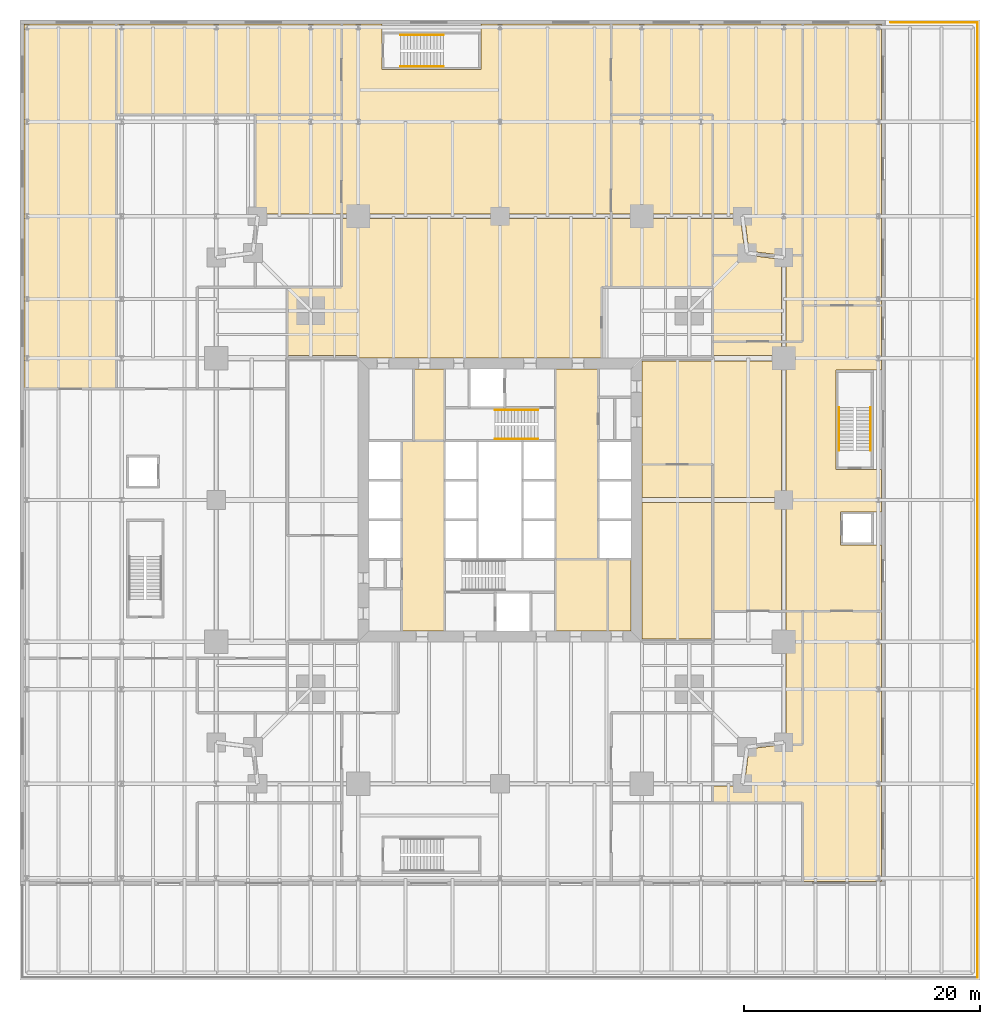
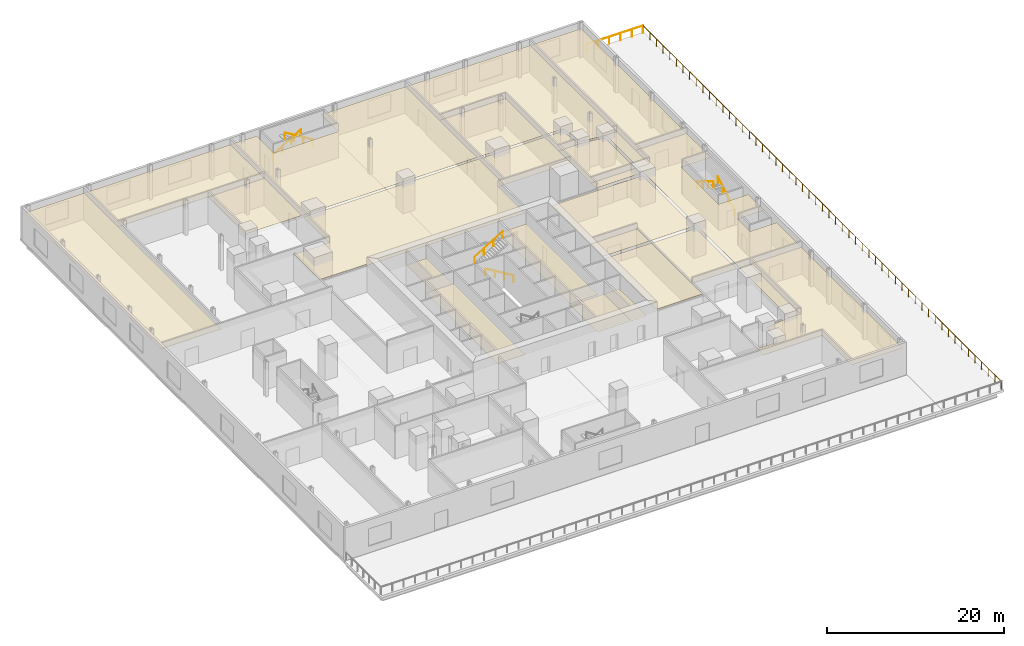
# One storey, part 18 of 18: 25 coverings, 8 railings.
"""IFC4 building model written with IfcOpenShell, lengths in metres."""

from ifc_helpers import new_model, si_unit, direction, frame, origin, origin_2d, place, context, subcontext, project, spatial, polyline, circle, outline, extrude, material, layer, layer_set, type_object, element, save


model = new_model("IFC4")

# Units and contexts
model_context = context("Model", 3, precision=1e-05, world=origin(), true_north=direction((0.0, 1.0)))
body_context = subcontext(model_context, "Body", "Model", "MODEL_VIEW")
ifc_project = project(units=[si_unit("LENGTHUNIT", "METRE"), si_unit("AREAUNIT", "SQUARE_METRE"), si_unit("VOLUMEUNIT", "CUBIC_METRE"), si_unit("PLANEANGLEUNIT", "RADIAN"), si_unit("MASSUNIT", "GRAM", prefix="KILO")], contexts=[model_context])

# Site, building, storey
site_placement = place(None, origin())
site = spatial("IfcSite", under=ifc_project, at=site_placement, CompositionType="ELEMENT")
building_placement = place(site_placement, origin())
building = spatial("IfcBuilding", under=site, at=building_placement, Name="Fenwick Lantern Interchange", CompositionType="ELEMENT")
storey_placement = place(building_placement, frame((0.0, 0.0, 11.800048828125)))
storey = spatial("IfcBuildingStorey", under=building, at=storey_placement, Name="L02", CompositionType="ELEMENT", Elevation=11.800048828125)

# Coverings
ifc_material_1 = material(Name="Mineral fibre acoustic tile on suspended grid")
ifc_layer_1 = layer(ifc_material_1, 0.02001953125)
ifc_layer_set_1 = layer_set([ifc_layer_1], Name="ACOUSTIC TILE CEILING 20")
covering_type_1 = type_object("IfcCoveringType", Name="ACOUSTIC TILE CEILING 20", PredefinedType="CEILING", material=ifc_layer_set_1)
covering_1_placement = place(storey_placement, frame((0.0, 0.0, 3.599853515625)))
element("IfcCovering", 1, at=covering_1_placement, inside=storey, type_object=covering_type_1, Name="Retail arcade north ceiling", PredefinedType="CEILING", context=body_context, shape_type="SweptSolid", body=[
    extrude(outline(polyline([(34.39990234375, 57.60009765625), (34.39990234375, 65.25), (23.39990234375, 65.25), (23.39990234375, 64.60009765625), (23.39990234375, 61.39990234375), (15.0, 61.39990234375), (15.0, 64.60009765625), (15.0, 65.25), (11.60009765625, 65.25), (11.60009765625, 57.60009765625), (11.60009765625, 49.175048828125), (13.0, 49.175048828125), (25.0, 49.175048828125), (34.39990234375, 49.175048828125), (34.39990234375, 57.60009765625)])), origin(), (0.0, 0.0, 1.0), 0.02001953125),
])
covering_2_placement = place(storey_placement, frame((0.0, 0.0, 3.599853515625)))
element("IfcCovering", 2, at=covering_2_placement, inside=storey, type_object=covering_type_1, Name="Retail arcade north ceiling", PredefinedType="CEILING", context=body_context, shape_type="SweptSolid", body=[
    extrude(outline(polyline([(34.39990234375, 43.0), (34.39990234375, 48.824951171875), (25.0, 48.824951171875), (13.0, 48.824951171875), (11.60009765625, 48.824951171875), (11.60009765625, 43.0), (7.0, 43.0), (7.0, 37.232177734375), (13.0, 37.232177734375), (13.0, 37.0), (33.60009765625, 37.0), (33.60009765625, 43.0), (34.39990234375, 43.0)])), origin(), (0.0, 0.0, 1.0), 0.02001953125),
])
covering_3_placement = place(storey_placement, frame((0.0, 0.0, 3.599853515625)))
element("IfcCovering", 3, at=covering_3_placement, inside=storey, type_object=covering_type_1, Name="Retail arcade east ceiling", PredefinedType="CEILING", context=body_context, shape_type="SweptSolid", body=[
    extrude(outline(polyline([(50.60009765625, 15.60009765625), (57.25, 15.60009765625), (57.25, 21.199951171875), (56.60009765625, 21.199951171875), (53.800048828125, 21.199951171875), (53.800048828125, 24.0), (56.60009765625, 24.0), (57.25, 24.0), (57.25, 27.60009765625), (56.60009765625, 27.60009765625), (53.39990234375, 27.60009765625), (53.39990234375, 36.0), (56.60009765625, 36.0), (57.25, 36.0), (57.25, 41.449951171875), (50.60009765625, 41.449951171875), (50.60009765625, 38.39990234375), (49.175048828125, 38.39990234375), (49.175048828125, 37.0), (49.175048828125, 25.0), (49.175048828125, 15.60009765625), (50.60009765625, 15.60009765625)])), origin(), (0.0, 0.0, 1.0), 0.02001953125),
])
covering_4_placement = place(storey_placement, frame((0.0, 0.0, 3.599853515625)))
element("IfcCovering", 4, at=covering_4_placement, inside=storey, type_object=covering_type_1, Name="Retail arcade east ceiling", PredefinedType="CEILING", context=body_context, shape_type="SweptSolid", body=[
    extrude(outline(polyline([(43.0, 28.0), (43.0, 25.224365234375), (48.824951171875, 25.224365234375), (48.824951171875, 36.767822265625), (37.0, 36.767822265625), (37.0, 28.0), (43.0, 28.0)])), origin(), (0.0, 0.0, 1.0), 0.02001953125),
])
covering_5_placement = place(storey_placement, frame((0.0, 0.0, 3.599853515625)))
element("IfcCovering", 5, at=covering_5_placement, inside=storey, type_object=covering_type_1, Name="Retail arcade east ceiling", PredefinedType="CEILING", context=body_context, shape_type="SweptSolid", body=[
    extrude(outline(polyline([(43.0, 15.60009765625), (48.824951171875, 15.60009765625), (48.824951171875, 24.775634765625), (43.0, 24.775634765625), (43.0, 15.60009765625)])), origin(), (0.0, 0.0, 1.0), 0.02001953125),
])
covering_6_placement = place(storey_placement, frame((0.0, 0.0, 3.599853515625)))
element("IfcCovering", 6, at=covering_6_placement, inside=storey, type_object=covering_type_1, Name="Retail arcade east ceiling", PredefinedType="CEILING", context=body_context, shape_type="SweptSolid", body=[
    extrude(outline(polyline([(43.0, 38.39990234375), (43.0, 37.232177734375), (48.824951171875, 37.232177734375), (48.824951171875, 38.39990234375), (43.0, 38.39990234375)])), origin(), (0.0, 0.0, 1.0), 0.02001953125),
])
covering_7_placement = place(storey_placement, frame((0.0, 0.0, 3.599853515625)))
element("IfcCovering", 7, at=covering_7_placement, inside=storey, type_object=covering_type_1, Name="Retail unit 02-8 ceiling", PredefinedType="CEILING", context=body_context, shape_type="SweptSolid", body=[
    extrude(outline(polyline([(43.0, -0.60009765625), (50.60009765625, -0.60009765625), (50.60009765625, -7.25), (57.25, -7.25), (57.25, 15.60009765625), (50.60009765625, 15.60009765625), (50.60009765625, 4.300048828125), (48.817138671875, 4.300048828125), (46.05615234375, 3.94384765625), (45.673583984375, 0.9775390625), (45.5, 1.0), (45.5, 0.824951171875), (43.0, 0.824951171875), (43.0, -0.60009765625)])), origin(), (0.0, 0.0, 1.0), 0.02001953125),
])
covering_8_placement = place(storey_placement, frame((0.0, 0.0, 3.599853515625)))
element("IfcCovering", 8, at=covering_8_placement, inside=storey, type_object=covering_type_1, Name="Retail unit 02-9 ceiling", PredefinedType="CEILING", context=body_context, shape_type="SweptSolid", body=[
    extrude(outline(polyline([(50.60009765625, 15.60009765625), (49.175048828125, 15.60009765625), (49.175048828125, 13.0), (49.175048828125, 4.5), (49.0, 4.5), (49.0224609375, 4.326416015625), (48.817138671875, 4.300048828125), (50.60009765625, 4.300048828125), (50.60009765625, 15.60009765625)])), origin(), (0.0, 0.0, 1.0), 0.02001953125),
])
covering_9_placement = place(storey_placement, frame((0.0, 0.0, 3.599853515625)))
element("IfcCovering", 9, at=covering_9_placement, inside=storey, type_object=covering_type_1, Name="Retail unit 02-10 ceiling", PredefinedType="CEILING", context=body_context, shape_type="SweptSolid", body=[
    extrude(outline(polyline([(43.0, 45.699951171875), (43.0, 38.39990234375), (48.824951171875, 38.39990234375), (48.824951171875, 45.34619140625), (46.0830078125, 45.699951171875), (43.0, 45.699951171875)])), origin(), (0.0, 0.0, 1.0), 0.02001953125),
])
covering_10_placement = place(storey_placement, frame((0.0, 0.0, 3.599853515625)))
element("IfcCovering", 10, at=covering_10_placement, inside=storey, type_object=covering_type_1, Name="Retail unit 02-10 ceiling", PredefinedType="CEILING", context=body_context, shape_type="SweptSolid", body=[
    extrude(outline(polyline([(50.60009765625, 45.699951171875), (48.817138671875, 45.699951171875), (49.0224609375, 45.673583984375), (49.0, 45.5), (49.175048828125, 45.5), (49.175048828125, 38.39990234375), (50.60009765625, 38.39990234375), (50.60009765625, 45.699951171875)])), origin(), (0.0, 0.0, 1.0), 0.02001953125),
])
covering_11_placement = place(storey_placement, frame((0.0, 0.0, 3.599853515625)))
element("IfcCovering", 11, at=covering_11_placement, inside=storey, type_object=covering_type_1, Name="Retail unit 02-11 ceiling", PredefinedType="CEILING", context=body_context, shape_type="SweptSolid", body=[
    extrude(outline(polyline([(57.25, 65.25), (50.60009765625, 65.25), (50.60009765625, 41.449951171875), (57.25, 41.449951171875), (57.25, 65.25)])), origin(), (0.0, 0.0, 1.0), 0.02001953125),
])
covering_12_placement = place(storey_placement, frame((0.0, 0.0, 3.599853515625)))
element("IfcCovering", 12, at=covering_12_placement, inside=storey, type_object=covering_type_1, Name="Retail unit 02-12 ceiling", PredefinedType="CEILING", context=body_context, shape_type="SweptSolid", body=[
    extrude(outline(polyline([(34.39990234375, 57.60009765625), (34.39990234375, 49.175048828125), (37.0, 49.175048828125), (43.0, 49.175048828125), (43.0, 57.60009765625), (34.39990234375, 57.60009765625)])), origin(), (0.0, 0.0, 1.0), 0.02001953125),
])
covering_13_placement = place(storey_placement, frame((0.0, 0.0, 3.599853515625)))
element("IfcCovering", 13, at=covering_13_placement, inside=storey, type_object=covering_type_1, Name="Retail unit 02-12 ceiling", PredefinedType="CEILING", context=body_context, shape_type="SweptSolid", body=[
    extrude(outline(polyline([(34.39990234375, 48.824951171875), (34.39990234375, 43.0), (43.0, 43.0), (43.0, 48.824951171875), (37.0, 48.824951171875), (34.39990234375, 48.824951171875)])), origin(), (0.0, 0.0, 1.0), 0.02001953125),
])
covering_14_placement = place(storey_placement, frame((0.0, 0.0, 3.599853515625)))
element("IfcCovering", 14, at=covering_14_placement, inside=storey, type_object=covering_type_1, Name="Retail unit 02-13 ceiling", PredefinedType="CEILING", context=body_context, shape_type="SweptSolid", body=[
    extrude(outline(polyline([(43.0, 57.60009765625), (43.0, 49.175048828125), (45.5, 49.175048828125), (45.5, 49.0), (45.673583984375, 49.0224609375), (46.05615234375, 46.05615234375), (48.817138671875, 45.699951171875), (50.60009765625, 45.699951171875), (50.60009765625, 65.25), (34.39990234375, 65.25), (34.39990234375, 57.60009765625), (43.0, 57.60009765625)])), origin(), (0.0, 0.0, 1.0), 0.02001953125),
])
covering_15_placement = place(storey_placement, frame((0.0, 0.0, 3.599853515625)))
element("IfcCovering", 15, at=covering_15_placement, inside=storey, type_object=covering_type_1, Name="Retail unit 02-13 ceiling", PredefinedType="CEILING", context=body_context, shape_type="SweptSolid", body=[
    extrude(outline(polyline([(43.0, 48.824951171875), (43.0, 45.699951171875), (46.0830078125, 45.699951171875), (45.877685546875, 45.7265625), (45.89990234375, 45.89990234375), (45.7265625, 45.877685546875), (45.34619140625, 48.824951171875), (43.0, 48.824951171875)])), origin(), (0.0, 0.0, 1.0), 0.02001953125),
])
covering_16_placement = place(storey_placement, frame((0.0, 0.0, 3.599853515625)))
element("IfcCovering", 16, at=covering_16_placement, inside=storey, type_object=covering_type_1, Name="Retail unit 02-16 ceiling", PredefinedType="CEILING", context=body_context, shape_type="SweptSolid", body=[
    extrude(outline(polyline([(-7.449951171875, 34.39990234375), (-7.449951171875, 65.25), (-15.25, 65.25), (-15.25, 34.39990234375), (-7.449951171875, 34.39990234375)])), origin(), (0.0, 0.0, 1.0), 0.02001953125),
])
covering_17_placement = place(storey_placement, frame((0.0, 0.0, 3.599853515625)))
element("IfcCovering", 17, at=covering_17_placement, inside=storey, type_object=covering_type_1, Name="Retail unit 02-17 ceiling", PredefinedType="CEILING", context=body_context, shape_type="SweptSolid", body=[
    extrude(outline(polyline([(4.300048828125, 57.60009765625), (4.300048828125, 48.817138671875), (4.326416015625, 49.0224609375), (4.5, 49.0), (4.5, 49.175048828125), (11.60009765625, 49.175048828125), (11.60009765625, 57.60009765625), (4.300048828125, 57.60009765625)])), origin(), (0.0, 0.0, 1.0), 0.02001953125),
])
covering_18_placement = place(storey_placement, frame((0.0, 0.0, 3.599853515625)))
element("IfcCovering", 18, at=covering_18_placement, inside=storey, type_object=covering_type_1, Name="Retail unit 02-18 ceiling", PredefinedType="CEILING", context=body_context, shape_type="SweptSolid", body=[
    extrude(outline(polyline([(11.60009765625, 57.60009765625), (11.60009765625, 65.25), (-7.449951171875, 65.25), (-7.449951171875, 57.60009765625), (11.60009765625, 57.60009765625)])), origin(), (0.0, 0.0, 1.0), 0.02001953125),
])
covering_19_placement = place(storey_placement, frame((0.0, 0.0, 3.599853515625)))
element("IfcCovering", 19, at=covering_19_placement, inside=storey, type_object=covering_type_1, Name="Retail unit 02-20 ceiling", PredefinedType="CEILING", context=body_context, shape_type="SweptSolid", body=[
    extrude(outline(polyline([(37.0, 24.775634765625), (37.0, 13.232177734375), (43.0, 13.232177734375), (43.0, 24.775634765625), (37.0, 24.775634765625)])), origin(), (0.0, 0.0, 1.0), 0.02001953125),
])
covering_20_placement = place(storey_placement, frame((0.0, 0.0, 3.599853515625)))
element("IfcCovering", 20, at=covering_20_placement, inside=storey, type_object=covering_type_1, Name="Retail unit 02-20 ceiling", PredefinedType="CEILING", context=body_context, shape_type="SweptSolid", body=[
    extrude(outline(polyline([(37.0, 28.0), (37.0, 25.224365234375), (43.0, 25.224365234375), (43.0, 28.0), (37.0, 28.0)])), origin(), (0.0, 0.0, 1.0), 0.02001953125),
])

# Railings
ifc_material_2 = material(Name="Stainless steel handrail", Category="steel")
railing_type_1 = type_object("IfcRailingType", Name="HANDRAIL 900", PredefinedType="HANDRAIL", material=ifc_material_2)
railing_1_placement = place(storey_placement, frame((28.199951171875, 30.174072265625, 0.17138671875)))
element("IfcRailing", 21, at=railing_1_placement, inside=storey, type_object=railing_type_1, Name="L02/STAIR/ST2/HR1", PredefinedType="HANDRAIL", context=body_context, shape_type="SweptSolid", body=[
    extrude(circle(Radius=0.02392578125, at=origin_2d()), frame((0.0, 0.0, 0.8759765625), z_axis=(-0.852850264322, 0.0, 0.5221555579), x_axis=(0.0, -1.0, 0.0)), (0.0, 0.0, 1.0), 4.267822265625),
    extrude(circle(Radius=0.02099609375, at=origin_2d()), origin(), (0.0, 0.0, 1.0), 0.851806640625),
    extrude(circle(Radius=0.02099609375, at=origin_2d()), frame((-1.21337890625, 0.0, 0.742919921875)), (0.0, 0.0, 1.0), 0.851806640625),
    extrude(circle(Radius=0.02099609375, at=origin_2d()), frame((-2.426513671875, 0.0, 1.485595703125)), (0.0, 0.0, 1.0), 0.851806640625),
    extrude(circle(Radius=0.02099609375, at=origin_2d()), frame((-3.639892578125, 0.0, 2.228515625)), (0.0, 0.0, 1.0), 0.851806640625),
])
railing_2_placement = place(storey_placement, frame((24.56005859375, 32.6259765625, 2.5712890625)))
element("IfcRailing", 22, at=railing_2_placement, inside=storey, type_object=railing_type_1, Name="L02/STAIR/ST2/HR2", PredefinedType="HANDRAIL", context=body_context, shape_type="SweptSolid", body=[
    extrude(circle(Radius=0.02392578125, at=origin_2d()), frame((0.0, 0.0, 0.8759765625), z_axis=(0.852824790078, 0.0, 0.522197163366), x_axis=(0.0, 1.0, 0.0)), (0.0, 0.0, 1.0), 4.26806640625),
    extrude(circle(Radius=0.02099609375, at=origin_2d()), origin(), (0.0, 0.0, 1.0), 0.851806640625),
    extrude(circle(Radius=0.02099609375, at=origin_2d()), frame((1.21337890625, 0.0, 0.742919921875)), (0.0, 0.0, 1.0), 0.851806640625),
    extrude(circle(Radius=0.02099609375, at=origin_2d()), frame((2.426513671875, 0.0, 1.48583984375)), (0.0, 0.0, 1.0), 0.851806640625),
    extrude(circle(Radius=0.02099609375, at=origin_2d()), frame((3.639892578125, 0.0, 2.228759765625)), (0.0, 0.0, 1.0), 0.851806640625),
])
railing_3_placement = place(storey_placement, frame((16.60009765625, 64.325927734375, 0.17138671875)))
element("IfcRailing", 23, at=railing_3_placement, inside=storey, type_object=railing_type_1, Name="L02/STAIR/PS1/HR1", PredefinedType="HANDRAIL", context=body_context, shape_type="SweptSolid", body=[
    extrude(circle(Radius=0.02392578125, at=origin_2d()), frame((0.0, 0.0, 0.8759765625), z_axis=(0.852850264322, 0.0, 0.5221555579), x_axis=(0.0, 1.0, 0.0)), (0.0, 0.0, 1.0), 4.267822265625),
    extrude(circle(Radius=0.02099609375, at=origin_2d()), origin(), (0.0, 0.0, 1.0), 0.851806640625),
    extrude(circle(Radius=0.02099609375, at=origin_2d()), frame((1.21337890625, 0.0, 0.742919921875)), (0.0, 0.0, 1.0), 0.851806640625),
    extrude(circle(Radius=0.02099609375, at=origin_2d()), frame((2.426513671875, 0.0, 1.485595703125)), (0.0, 0.0, 1.0), 0.851806640625),
    extrude(circle(Radius=0.02099609375, at=origin_2d()), frame((3.639892578125, 0.0, 2.228515625)), (0.0, 0.0, 1.0), 0.851806640625),
])
railing_4_placement = place(storey_placement, frame((20.239990234375, 61.674072265625, 2.5712890625)))
element("IfcRailing", 24, at=railing_4_placement, inside=storey, type_object=railing_type_1, Name="L02/STAIR/PS1/HR2", PredefinedType="HANDRAIL", context=body_context, shape_type="SweptSolid", body=[
    extrude(circle(Radius=0.02392578125, at=origin_2d()), frame((0.0, 0.0, 0.8759765625), z_axis=(-0.852824790078, 0.0, 0.522197163366), x_axis=(0.0, -1.0, 0.0)), (0.0, 0.0, 1.0), 4.26806640625),
    extrude(circle(Radius=0.02099609375, at=origin_2d()), origin(), (0.0, 0.0, 1.0), 0.851806640625),
    extrude(circle(Radius=0.02099609375, at=origin_2d()), frame((-1.21337890625, 0.0, 0.742919921875)), (0.0, 0.0, 1.0), 0.851806640625),
    extrude(circle(Radius=0.02099609375, at=origin_2d()), frame((-2.426513671875, 0.0, 1.48583984375)), (0.0, 0.0, 1.0), 0.851806640625),
    extrude(circle(Radius=0.02099609375, at=origin_2d()), frame((-3.639892578125, 0.0, 2.228759765625)), (0.0, 0.0, 1.0), 0.851806640625),
])
railing_5_placement = place(storey_placement, frame((56.325927734375, 29.199951171875, 0.17138671875)))
element("IfcRailing", 25, at=railing_5_placement, inside=storey, type_object=railing_type_1, Name="L02/STAIR/PS4/HR1", PredefinedType="HANDRAIL", context=body_context, shape_type="SweptSolid", body=[
    extrude(circle(Radius=0.02392578125, at=origin_2d()), frame((0.0, 0.0, 0.8759765625), z_axis=(0.0, 0.852865859571, 0.52213008492), x_axis=(-1.0, 0.0, 0.0)), (0.0, 0.0, 1.0), 4.26806640625),
    extrude(circle(Radius=0.02099609375, at=origin_2d()), origin(), (0.0, 0.0, 1.0), 0.851806640625),
    extrude(circle(Radius=0.02099609375, at=origin_2d()), frame((0.0, 1.21337890625, 0.742919921875)), (0.0, 0.0, 1.0), 0.851806640625),
    extrude(circle(Radius=0.02099609375, at=origin_2d()), frame((0.0, 2.4267578125, 1.485595703125)), (0.0, 0.0, 1.0), 0.851806640625),
    extrude(circle(Radius=0.02099609375, at=origin_2d()), frame((0.0, 3.64013671875, 2.228515625)), (0.0, 0.0, 1.0), 0.851806640625),
])
railing_6_placement = place(storey_placement, frame((53.674072265625, 32.840087890625, 2.5712890625)))
element("IfcRailing", 26, at=railing_6_placement, inside=storey, type_object=railing_type_1, Name="L02/STAIR/PS4/HR2", PredefinedType="HANDRAIL", context=body_context, shape_type="SweptSolid", body=[
    extrude(circle(Radius=0.02392578125, at=origin_2d()), frame((0.0, 0.0, 0.8759765625), z_axis=(0.0, -0.852840387347, 0.522171689878), x_axis=(1.0, 0.0, 0.0)), (0.0, 0.0, 1.0), 4.268310546875),
    extrude(circle(Radius=0.02099609375, at=origin_2d()), origin(), (0.0, 0.0, 1.0), 0.851806640625),
    extrude(circle(Radius=0.02099609375, at=origin_2d()), frame((0.0, -1.21337890625, 0.742919921875)), (0.0, 0.0, 1.0), 0.851806640625),
    extrude(circle(Radius=0.02099609375, at=origin_2d()), frame((0.0, -2.4267578125, 1.48583984375)), (0.0, 0.0, 1.0), 0.851806640625),
    extrude(circle(Radius=0.02099609375, at=origin_2d()), frame((0.0, -3.64013671875, 2.228759765625)), (0.0, 0.0, 1.0), 0.851806640625),
])

# Coverings
ifc_material_3 = material(Name="Moisture resistant gypsum board on suspended frame, painted")
ifc_layer_2 = layer(ifc_material_3, 0.014892578125)
ifc_layer_set_2 = layer_set([ifc_layer_2], Name="MOISTURE RESISTANT CEILING 15")
covering_type_2 = type_object("IfcCoveringType", Name="MOISTURE RESISTANT CEILING 15", PredefinedType="CEILING", material=ifc_layer_set_2)
covering_21_placement = place(storey_placement, frame((0.0, 0.0, 2.599853515625)))
element("IfcCovering", 27, at=covering_21_placement, inside=storey, type_object=covering_type_2, Name="Women's WC ceiling", PredefinedType="CEILING", context=body_context, shape_type="SweptSolid", body=[
    extrude(outline(polyline([(29.699951171875, 13.89990234375), (34.10009765625, 13.89990234375), (34.10009765625, 20.0), (29.699951171875, 20.0), (29.699951171875, 13.89990234375)])), origin(), (0.0, 0.0, 1.0), 0.01513671875),
])
covering_22_placement = place(storey_placement, frame((0.0, 0.0, 2.599853515625)))
element("IfcCovering", 28, at=covering_22_placement, inside=storey, type_object=covering_type_2, Name="Men's WC ceiling", PredefinedType="CEILING", context=body_context, shape_type="SweptSolid", body=[
    extrude(outline(polyline([(34.10009765625, 13.89990234375), (36.10009765625, 13.89990234375), (36.10009765625, 20.0), (34.10009765625, 20.0), (34.10009765625, 13.89990234375)])), origin(), (0.0, 0.0, 1.0), 0.01513671875),
])
covering_23_placement = place(storey_placement, frame((0.0, 0.0, 2.599853515625)))
element("IfcCovering", 29, at=covering_23_placement, inside=storey, type_object=covering_type_2, Name="Men's WC ceiling", PredefinedType="CEILING", context=body_context, shape_type="SweptSolid", body=[
    extrude(outline(polyline([(20.300048828125, 36.10009765625), (17.699951171875, 36.10009765625), (17.699951171875, 30.0), (20.300048828125, 30.0), (20.300048828125, 36.10009765625)])), origin(), (0.0, 0.0, 1.0), 0.01513671875),
])
ifc_material_4 = material(Name="Gypsum plasterboard on suspended frame, painted")
ifc_layer_3 = layer(ifc_material_4, 0.014892578125)
ifc_layer_set_3 = layer_set([ifc_layer_3], Name="PLASTERBOARD CEILING 15")
covering_type_3 = type_object("IfcCoveringType", Name="PLASTERBOARD CEILING 15", PredefinedType="CEILING", material=ifc_layer_set_3)
covering_24_placement = place(storey_placement, frame((0.0, 0.0, 2.800048828125)))
element("IfcCovering", 30, at=covering_24_placement, inside=storey, type_object=covering_type_3, Name="Lift lobby ceiling", PredefinedType="CEILING", context=body_context, shape_type="SweptSolid", body=[
    extrude(outline(polyline([(16.699951171875, 13.89990234375), (20.300048828125, 13.89990234375), (20.300048828125, 30.0), (16.699951171875, 30.0), (16.699951171875, 13.89990234375)])), origin(), (0.0, 0.0, 1.0), 0.014892578125),
])
covering_25_placement = place(storey_placement, frame((0.0, 0.0, 2.800048828125)))
element("IfcCovering", 31, at=covering_25_placement, inside=storey, type_object=covering_type_3, Name="Lift lobby ceiling", PredefinedType="CEILING", context=body_context, shape_type="SweptSolid", body=[
    extrude(outline(polyline([(33.300048828125, 36.10009765625), (29.699951171875, 36.10009765625), (29.699951171875, 20.0), (33.300048828125, 20.0), (33.300048828125, 36.10009765625)])), origin(), (0.0, 0.0, 1.0), 0.014892578125),
])

# Railings
ifc_material_5 = material(Name="Stainless steel and laminated glass guard", Category="steel")
railing_type_2 = type_object("IfcRailingType", Name="TERRACE GUARD 1100", PredefinedType="GUARDRAIL", material=ifc_material_5)
railing_7_placement = place(storey_placement, frame((65.39990234375, -15.39990234375, 0.0)))
element("IfcRailing", 32, at=railing_7_placement, inside=storey, type_object=railing_type_2, Name="L02/GR/2", PredefinedType="GUARDRAIL", context=body_context, shape_type="SweptSolid", body=[
    extrude(circle(Radius=0.02392578125, at=origin_2d()), frame((0.0, 0.0, 1.076171875), z_axis=(0.0, 1.0, 0.0), x_axis=(-1.0, 0.0, 0.0)), (0.0, 0.0, 1.0), 80.7998046875),
    extrude(circle(Radius=0.02099609375, at=origin_2d()), origin(), (0.0, 0.0, 1.0), 1.052001953125),
    extrude(circle(Radius=0.02099609375, at=origin_2d()), frame((0.0, 1.496337890625, 0.0)), (0.0, 0.0, 1.0), 1.052001953125),
    extrude(circle(Radius=0.02099609375, at=origin_2d()), frame((0.0, 2.99267578125, 0.0)), (0.0, 0.0, 1.0), 1.052001953125),
    extrude(circle(Radius=0.02099609375, at=origin_2d()), frame((0.0, 4.48876953125, 0.0)), (0.0, 0.0, 1.0), 1.052001953125),
    extrude(circle(Radius=0.02099609375, at=origin_2d()), frame((0.0, 5.985107421875, 0.0)), (0.0, 0.0, 1.0), 1.052001953125),
    extrude(circle(Radius=0.02099609375, at=origin_2d()), frame((0.0, 7.4814453125, 0.0)), (0.0, 0.0, 1.0), 1.052001953125),
    extrude(circle(Radius=0.02099609375, at=origin_2d()), frame((0.0, 8.977783203125, 0.0)), (0.0, 0.0, 1.0), 1.052001953125),
    extrude(circle(Radius=0.02099609375, at=origin_2d()), frame((0.0, 10.47412109375, 0.0)), (0.0, 0.0, 1.0), 1.052001953125),
    extrude(circle(Radius=0.02099609375, at=origin_2d()), frame((0.0, 11.970458984375, 0.0)), (0.0, 0.0, 1.0), 1.052001953125),
    extrude(circle(Radius=0.02099609375, at=origin_2d()), frame((0.0, 13.466552734375, 0.0)), (0.0, 0.0, 1.0), 1.052001953125),
    extrude(circle(Radius=0.02099609375, at=origin_2d()), frame((0.0, 14.962890625, 0.0)), (0.0, 0.0, 1.0), 1.052001953125),
    extrude(circle(Radius=0.02099609375, at=origin_2d()), frame((0.0, 16.459228515625, 0.0)), (0.0, 0.0, 1.0), 1.052001953125),
    extrude(circle(Radius=0.02099609375, at=origin_2d()), frame((0.0, 17.95556640625, 0.0)), (0.0, 0.0, 1.0), 1.052001953125),
    extrude(circle(Radius=0.02099609375, at=origin_2d()), frame((0.0, 19.451904296875, 0.0)), (0.0, 0.0, 1.0), 1.052001953125),
    extrude(circle(Radius=0.02099609375, at=origin_2d()), frame((0.0, 20.947998046875, 0.0)), (0.0, 0.0, 1.0), 1.052001953125),
    extrude(circle(Radius=0.02099609375, at=origin_2d()), frame((0.0, 22.4443359375, 0.0)), (0.0, 0.0, 1.0), 1.052001953125),
    extrude(circle(Radius=0.02099609375, at=origin_2d()), frame((0.0, 23.940673828125, 0.0)), (0.0, 0.0, 1.0), 1.052001953125),
    extrude(circle(Radius=0.02099609375, at=origin_2d()), frame((0.0, 25.43701171875, 0.0)), (0.0, 0.0, 1.0), 1.052001953125),
    extrude(circle(Radius=0.02099609375, at=origin_2d()), frame((0.0, 26.933349609375, 0.0)), (0.0, 0.0, 1.0), 1.052001953125),
    extrude(circle(Radius=0.02099609375, at=origin_2d()), frame((0.0, 28.429443359375, 0.0)), (0.0, 0.0, 1.0), 1.052001953125),
    extrude(circle(Radius=0.02099609375, at=origin_2d()), frame((0.0, 29.92578125, 0.0)), (0.0, 0.0, 1.0), 1.052001953125),
    extrude(circle(Radius=0.02099609375, at=origin_2d()), frame((0.0, 31.422119140625, 0.0)), (0.0, 0.0, 1.0), 1.052001953125),
    extrude(circle(Radius=0.02099609375, at=origin_2d()), frame((0.0, 32.91845703125, 0.0)), (0.0, 0.0, 1.0), 1.052001953125),
    extrude(circle(Radius=0.02099609375, at=origin_2d()), frame((0.0, 34.414794921875, 0.0)), (0.0, 0.0, 1.0), 1.052001953125),
    extrude(circle(Radius=0.02099609375, at=origin_2d()), frame((0.0, 35.9111328125, 0.0)), (0.0, 0.0, 1.0), 1.052001953125),
    extrude(circle(Radius=0.02099609375, at=origin_2d()), frame((0.0, 37.4072265625, 0.0)), (0.0, 0.0, 1.0), 1.052001953125),
    extrude(circle(Radius=0.02099609375, at=origin_2d()), frame((0.0, 38.903564453125, 0.0)), (0.0, 0.0, 1.0), 1.052001953125),
    extrude(circle(Radius=0.02099609375, at=origin_2d()), frame((0.0, 40.39990234375, 0.0)), (0.0, 0.0, 1.0), 1.052001953125),
    extrude(circle(Radius=0.02099609375, at=origin_2d()), frame((0.0, 41.896240234375, 0.0)), (0.0, 0.0, 1.0), 1.052001953125),
    extrude(circle(Radius=0.02099609375, at=origin_2d()), frame((0.0, 43.392578125, 0.0)), (0.0, 0.0, 1.0), 1.052001953125),
    extrude(circle(Radius=0.02099609375, at=origin_2d()), frame((0.0, 44.888671875, 0.0)), (0.0, 0.0, 1.0), 1.052001953125),
    extrude(circle(Radius=0.02099609375, at=origin_2d()), frame((0.0, 46.385009765625, 0.0)), (0.0, 0.0, 1.0), 1.052001953125),
    extrude(circle(Radius=0.02099609375, at=origin_2d()), frame((0.0, 47.88134765625, 0.0)), (0.0, 0.0, 1.0), 1.052001953125),
    extrude(circle(Radius=0.02099609375, at=origin_2d()), frame((0.0, 49.377685546875, 0.0)), (0.0, 0.0, 1.0), 1.052001953125),
    extrude(circle(Radius=0.02099609375, at=origin_2d()), frame((0.0, 50.8740234375, 0.0)), (0.0, 0.0, 1.0), 1.052001953125),
    extrude(circle(Radius=0.02099609375, at=origin_2d()), frame((0.0, 52.370361328125, 0.0)), (0.0, 0.0, 1.0), 1.052001953125),
    extrude(circle(Radius=0.02099609375, at=origin_2d()), frame((0.0, 53.866455078125, 0.0)), (0.0, 0.0, 1.0), 1.052001953125),
    extrude(circle(Radius=0.02099609375, at=origin_2d()), frame((0.0, 55.36279296875, 0.0)), (0.0, 0.0, 1.0), 1.052001953125),
    extrude(circle(Radius=0.02099609375, at=origin_2d()), frame((0.0, 56.859130859375, 0.0)), (0.0, 0.0, 1.0), 1.052001953125),
    extrude(circle(Radius=0.02099609375, at=origin_2d()), frame((0.0, 58.35546875, 0.0)), (0.0, 0.0, 1.0), 1.052001953125),
    extrude(circle(Radius=0.02099609375, at=origin_2d()), frame((0.0, 59.851806640625, 0.0)), (0.0, 0.0, 1.0), 1.052001953125),
    extrude(circle(Radius=0.02099609375, at=origin_2d()), frame((0.0, 61.347900390625, 0.0)), (0.0, 0.0, 1.0), 1.052001953125),
    extrude(circle(Radius=0.02099609375, at=origin_2d()), frame((0.0, 62.84423828125, 0.0)), (0.0, 0.0, 1.0), 1.052001953125),
    extrude(circle(Radius=0.02099609375, at=origin_2d()), frame((0.0, 64.340576171875, 0.0)), (0.0, 0.0, 1.0), 1.052001953125),
    extrude(circle(Radius=0.02099609375, at=origin_2d()), frame((0.0, 65.8369140625, 0.0)), (0.0, 0.0, 1.0), 1.052001953125),
    extrude(circle(Radius=0.02099609375, at=origin_2d()), frame((0.0, 67.333251953125, 0.0)), (0.0, 0.0, 1.0), 1.052001953125),
    extrude(circle(Radius=0.02099609375, at=origin_2d()), frame((0.0, 68.829345703125, 0.0)), (0.0, 0.0, 1.0), 1.052001953125),
    extrude(circle(Radius=0.02099609375, at=origin_2d()), frame((0.0, 70.32568359375, 0.0)), (0.0, 0.0, 1.0), 1.052001953125),
    extrude(circle(Radius=0.02099609375, at=origin_2d()), frame((0.0, 71.822021484375, 0.0)), (0.0, 0.0, 1.0), 1.052001953125),
    extrude(circle(Radius=0.02099609375, at=origin_2d()), frame((0.0, 73.318359375, 0.0)), (0.0, 0.0, 1.0), 1.052001953125),
    extrude(circle(Radius=0.02099609375, at=origin_2d()), frame((0.0, 74.814697265625, 0.0)), (0.0, 0.0, 1.0), 1.052001953125),
    extrude(circle(Radius=0.02099609375, at=origin_2d()), frame((0.0, 76.31103515625, 0.0)), (0.0, 0.0, 1.0), 1.052001953125),
    extrude(circle(Radius=0.02099609375, at=origin_2d()), frame((0.0, 77.80712890625, 0.0)), (0.0, 0.0, 1.0), 1.052001953125),
    extrude(circle(Radius=0.02099609375, at=origin_2d()), frame((0.0, 79.303466796875, 0.0)), (0.0, 0.0, 1.0), 1.052001953125),
    extrude(circle(Radius=0.02099609375, at=origin_2d()), frame((0.0, 80.7998046875, 0.0)), (0.0, 0.0, 1.0), 1.052001953125),
])
railing_8_placement = place(storey_placement, frame((65.39990234375, 65.39990234375, 0.0)))
element("IfcRailing", 33, at=railing_8_placement, inside=storey, type_object=railing_type_2, Name="L02/GR/3", PredefinedType="GUARDRAIL", context=body_context, shape_type="SweptSolid", body=[
    extrude(circle(Radius=0.02392578125, at=origin_2d()), frame((0.0, 0.0, 1.076171875), z_axis=(-1.0, 0.0, 0.0), x_axis=(0.0, -1.0, 0.0)), (0.0, 0.0, 1.0), 7.349853515625),
    extrude(circle(Radius=0.02099609375, at=origin_2d()), origin(), (0.0, 0.0, 1.0), 1.052001953125),
    extrude(circle(Radius=0.02099609375, at=origin_2d()), frame((-1.469970703125, 0.0, 0.0)), (0.0, 0.0, 1.0), 1.052001953125),
    extrude(circle(Radius=0.02099609375, at=origin_2d()), frame((-2.93994140625, 0.0, 0.0)), (0.0, 0.0, 1.0), 1.052001953125),
    extrude(circle(Radius=0.02099609375, at=origin_2d()), frame((-4.409912109375, 0.0, 0.0)), (0.0, 0.0, 1.0), 1.052001953125),
    extrude(circle(Radius=0.02099609375, at=origin_2d()), frame((-5.8798828125, 0.0, 0.0)), (0.0, 0.0, 1.0), 1.052001953125),
    extrude(circle(Radius=0.02099609375, at=origin_2d()), frame((-7.349853515625, 0.0, 0.0)), (0.0, 0.0, 1.0), 1.052001953125),
])

save(model, "model.ifc")
